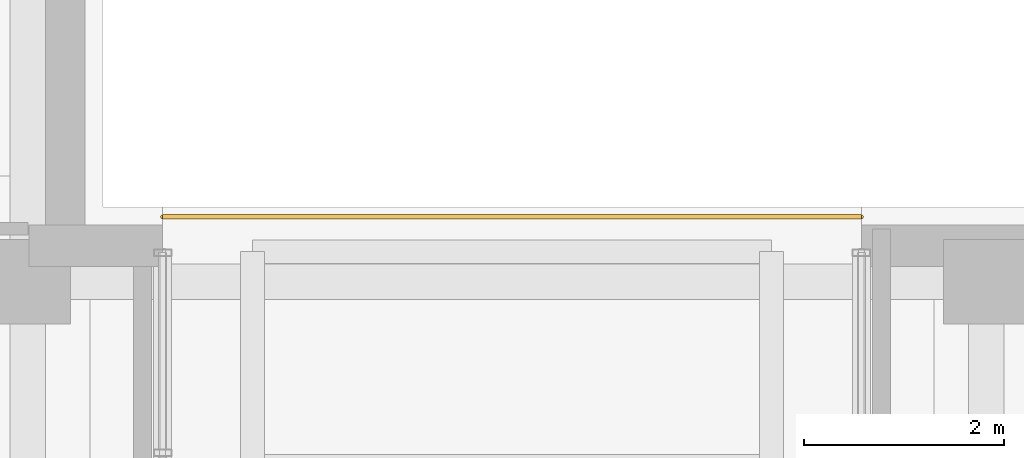
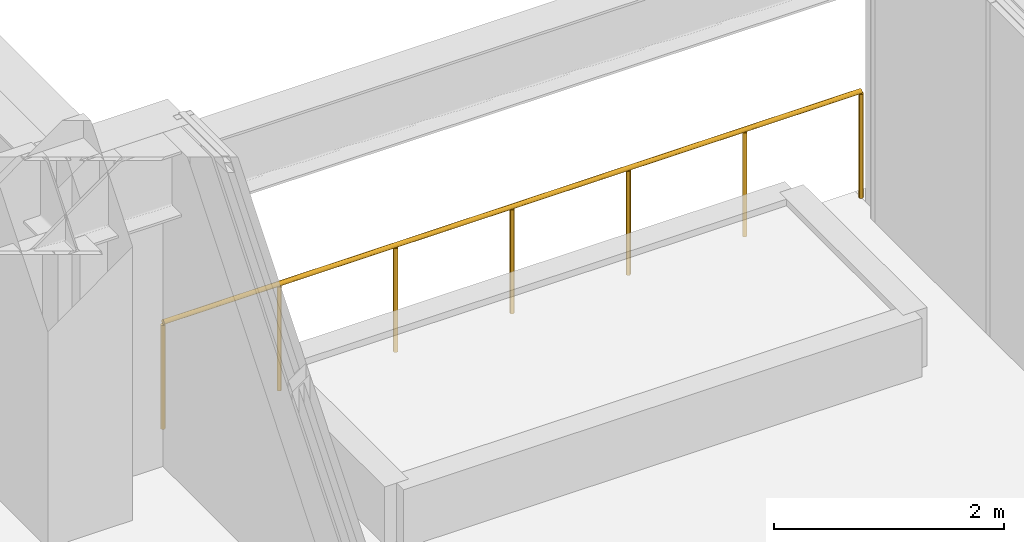
# One storey, part 13 of 14: 1 railing.
"""IFC4 building model written with IfcOpenShell, lengths in metres."""

from ifc_helpers import new_model, si_unit, direction, frame, origin, origin_2d, place, context, subcontext, project, spatial, circle, extrude, material, type_object, element, save


model = new_model("IFC4")

# Units and contexts
model_context = context("Model", 3, precision=1e-05, world=origin(), true_north=direction((0.0, 1.0)))
body_context = subcontext(model_context, "Body", "Model", "MODEL_VIEW")
ifc_project = project(units=[si_unit("LENGTHUNIT", "METRE"), si_unit("AREAUNIT", "SQUARE_METRE"), si_unit("VOLUMEUNIT", "CUBIC_METRE"), si_unit("PLANEANGLEUNIT", "RADIAN"), si_unit("MASSUNIT", "GRAM", prefix="KILO")], contexts=[model_context])

# Site, building, storey
site_placement = place(None, origin())
site = spatial("IfcSite", under=ifc_project, at=site_placement, CompositionType="ELEMENT")
building_placement = place(site_placement, origin())
building = spatial("IfcBuilding", under=site, at=building_placement, Name="Norrvale University Quadrangle", CompositionType="ELEMENT")
storey_placement = place(building_placement, frame((0.0, 0.0, 221.800048828125)))
storey = spatial("IfcBuildingStorey", under=building, at=storey_placement, Name="L56", CompositionType="ELEMENT", Elevation=221.800048828125)

# Railing
ifc_material = material(Name="Stainless Steel 316L Balustrade", Category="steel")
railing_type = type_object("IfcRailingType", Name="Railing Terrace Guard 1150", PredefinedType="BALUSTRADE", material=ifc_material)
railing_placement = place(storey_placement, frame((39.0, 38.300048828125, 0.0)))
element("IfcRailing", 1, at=railing_placement, inside=storey, type_object=railing_type, Name="Sky Garden Facade Balustrade L56", PredefinedType="BALUSTRADE", context=body_context, shape_type="SweptSolid", body=[
    extrude(circle(Radius=0.02392578125, at=origin_2d()), frame((0.0, 0.0, 1.1259765625), z_axis=(1.0, 0.0, 0.0), x_axis=(0.0, 1.0, 0.0)), (0.0, 0.0, 1.0), 7.0),
    extrude(circle(Radius=0.02099609375, at=origin_2d()), origin(), (0.0, 0.0, 1.0), 1.101806640625),
    extrude(circle(Radius=0.02099609375, at=origin_2d()), frame((1.166748046875, 0.0, 0.0)), (0.0, 0.0, 1.0), 1.101806640625),
    extrude(circle(Radius=0.02099609375, at=origin_2d()), frame((2.333251953125, 0.0, 0.0)), (0.0, 0.0, 1.0), 1.101806640625),
    extrude(circle(Radius=0.02099609375, at=origin_2d()), frame((3.5, 0.0, 0.0)), (0.0, 0.0, 1.0), 1.101806640625),
    extrude(circle(Radius=0.02099609375, at=origin_2d()), frame((4.666748046875, 0.0, 0.0)), (0.0, 0.0, 1.0), 1.101806640625),
    extrude(circle(Radius=0.02099609375, at=origin_2d()), frame((5.833251953125, 0.0, 0.0)), (0.0, 0.0, 1.0), 1.101806640625),
    extrude(circle(Radius=0.02099609375, at=origin_2d()), frame((7.0, 0.0, 0.0)), (0.0, 0.0, 1.0), 1.101806640625),
])

save(model, "model.ifc")
